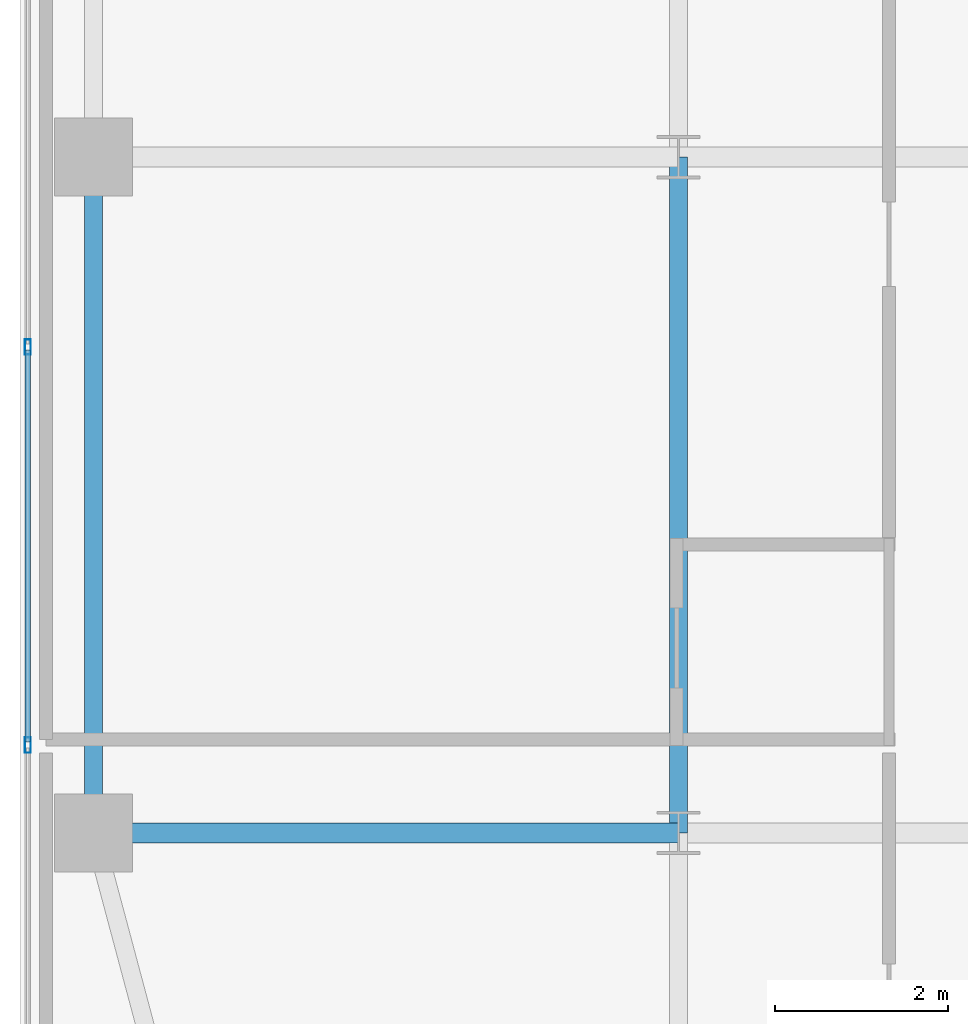
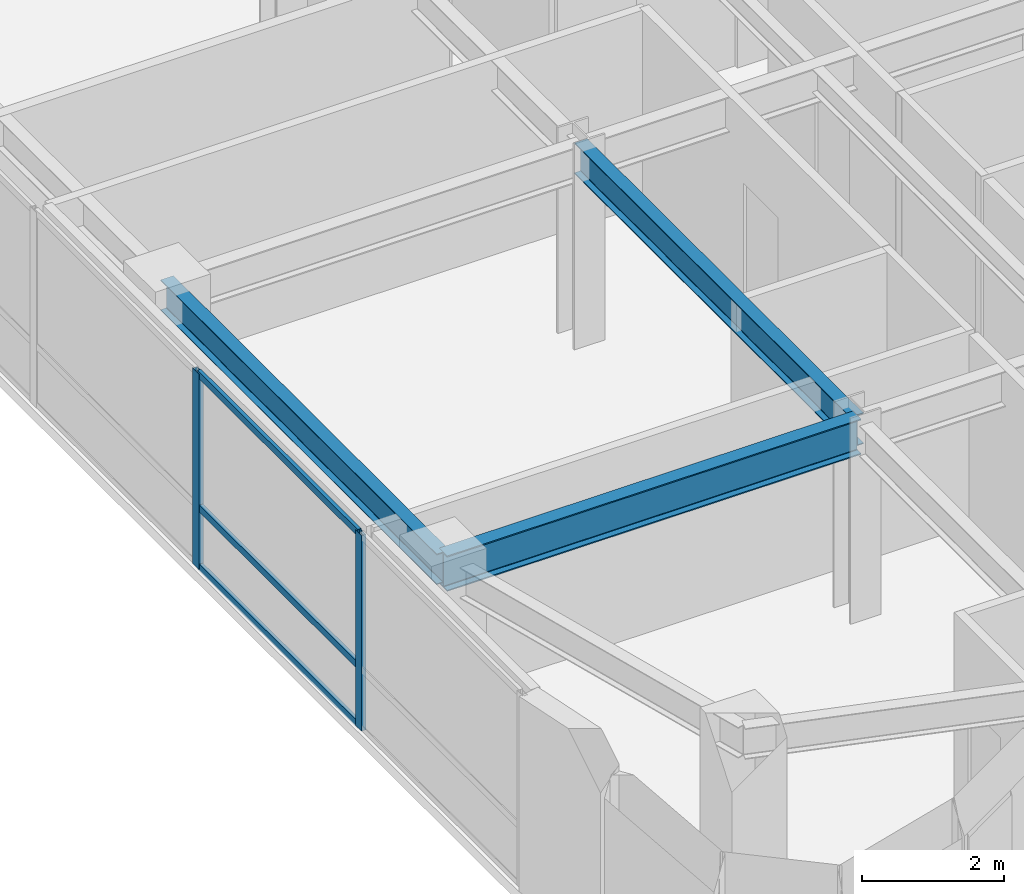
# One storey, part 4 of 37: 5 members, 3 beams, 1 element without a shape of its own.
"""IFC4 building model written with IfcOpenShell, lengths in metres."""

from ifc_helpers import new_model, si_unit, direction, frame, origin, origin_2d, place, context, subcontext, project, spatial, hollow_rectangle, i_section, extrude, source, transform, mapped, material, layer, layer_set, material_profile, profile_set, type_object, type_shapes, element, aggregate, save


model = new_model("IFC4")

# Units and contexts
model_context = context("Model", 3, precision=1e-05, world=origin(), true_north=direction((0.0, 1.0)))
body_context = subcontext(model_context, "Body", "Model", "MODEL_VIEW")
ifc_project = project(units=[si_unit("LENGTHUNIT", "METRE"), si_unit("AREAUNIT", "SQUARE_METRE"), si_unit("VOLUMEUNIT", "CUBIC_METRE"), si_unit("PLANEANGLEUNIT", "RADIAN"), si_unit("MASSUNIT", "GRAM", prefix="KILO")], contexts=[model_context])

# Site, building, storey
site_placement = place(None, origin())
site = spatial("IfcSite", under=ifc_project, at=site_placement, CompositionType="ELEMENT")
building_placement = place(site_placement, origin())
building = spatial("IfcBuilding", under=site, at=building_placement, Name="Tolvann Quenvar Hotel", CompositionType="ELEMENT")
storey_placement = place(building_placement, frame((0.0, 0.0, 104.449951171875)))
storey = spatial("IfcBuildingStorey", under=building, at=storey_placement, Name="L26", CompositionType="ELEMENT", Elevation=104.449951171875)

# Beams
ifc_material_1 = material(Name="Steel Grade 350", Category="steel")
ifc_material_profile_1 = material_profile(ifc_material_1, i_section(OverallWidth=0.22900390625, OverallDepth=0.612060546875, WebThickness=0.011962890625, FlangeThickness=0.01953125, FilletRadius=0.013916015625, at=origin_2d()), Name="610UB125")
ifc_profile_set_1 = profile_set([ifc_material_profile_1], Name="Steel Grade 350")
beam_type_1 = type_object("IfcBeamType", Name="BM_GIRD_610UB125", PredefinedType="BEAM", material=ifc_profile_set_1)
shared_shape_1 = source(origin(), body_context, "Body", "SweptSolid", [
    extrude(i_section(OverallWidth=0.22900390625, OverallDepth=0.612060546875, WebThickness=0.011962890625, FlangeThickness=0.01953125, FilletRadius=0.013916015625, at=origin_2d()), origin(), (0.0, 0.0, 1.0), 6.75),
])
type_shapes(beam_type_1, [shared_shape_1])
beam_1_placement = place(storey_placement, frame((0.85009765625, 8.199951171875, 3.06396484375), z_axis=(1.0, 0.0, 0.0), x_axis=(0.0, 1.0, 0.0)))
element("IfcBeam", 1, at=beam_1_placement, inside=storey, type_object=beam_type_1, Name="BM-L26-EW-3-B3-C3", PredefinedType="BEAM", context=body_context, shape_type="MappedRepresentation", body=[
    mapped(shared_shape_1, transform((0.0, 0.0, 0.0), x_axis=(1.0, 0.0, 0.0), y_axis=(0.0, 1.0, 0.0), z_axis=(0.0, 0.0, 1.0), scale=1.0)),
])
ifc_material_profile_2 = material_profile(ifc_material_1, i_section(OverallWidth=0.208984375, OverallDepth=0.528076171875, WebThickness=0.009521484375, FlangeThickness=0.01318359375, FilletRadius=0.013916015625, at=origin_2d()), Name="530UB82")
ifc_profile_set_2 = profile_set([ifc_material_profile_2], Name="Steel Grade 350")
beam_type_2 = type_object("IfcBeamType", Name="BM_SPAND_530UB82", PredefinedType="SPANDREL", material=ifc_profile_set_2)
shared_shape_2 = source(origin(), body_context, "Body", "SweptSolid", [
    extrude(i_section(OverallWidth=0.208984375, OverallDepth=0.528076171875, WebThickness=0.009521484375, FlangeThickness=0.01318359375, FilletRadius=0.013916015625, at=origin_2d()), origin(), (0.0, 0.0, 1.0), 7.800048828125),
])
type_shapes(beam_type_2, [shared_shape_2])
beam_2_placement = place(storey_placement, frame((0.85009765625, 8.199951171875, 3.10595703125), z_axis=(0.0, 1.0, 0.0), x_axis=(-1.0, 0.0, 0.0)))
element("IfcBeam", 2, at=beam_2_placement, inside=storey, type_object=beam_type_2, Name="BM-L26-NS-B3-B4", PredefinedType="SPANDREL", context=body_context, shape_type="MappedRepresentation", body=[
    mapped(shared_shape_2, transform((0.0, 0.0, 0.0), x_axis=(1.0, 0.0, 0.0), y_axis=(0.0, 1.0, 0.0), z_axis=(0.0, 0.0, 1.0), scale=1.0)),
])
ifc_material_profile_3 = material_profile(ifc_material_1, i_section(OverallWidth=0.208984375, OverallDepth=0.532958984375, WebThickness=0.01025390625, FlangeThickness=0.015625, FilletRadius=0.013916015625, at=origin_2d()), Name="530UB92")
ifc_profile_set_3 = profile_set([ifc_material_profile_3], Name="Steel Grade 350")
beam_type_3 = type_object("IfcBeamType", Name="BM_GIRD_530UB92", PredefinedType="BEAM", material=ifc_profile_set_3)
shared_shape_3 = source(origin(), body_context, "Body", "SweptSolid", [
    extrude(i_section(OverallWidth=0.208984375, OverallDepth=0.532958984375, WebThickness=0.01025390625, FlangeThickness=0.015625, FilletRadius=0.013916015625, at=origin_2d()), origin(), (0.0, 0.0, 1.0), 7.800048828125),
])
type_shapes(beam_type_3, [shared_shape_3])
beam_3_placement = place(storey_placement, frame((7.60009765625, 8.199951171875, 3.103515625), z_axis=(0.0, 1.0, 0.0), x_axis=(-1.0, 0.0, 0.0)))
element("IfcBeam", 3, at=beam_3_placement, inside=storey, type_object=beam_type_3, Name="BM-L26-NS-C3-C4", PredefinedType="BEAM", context=body_context, shape_type="MappedRepresentation", body=[
    mapped(shared_shape_3, transform((0.0, 0.0, 0.0), x_axis=(1.0, 0.0, 0.0), y_axis=(0.0, 1.0, 0.0), z_axis=(0.0, 0.0, 1.0), scale=1.0)),
])

# Curtain wall, members
ifc_material_2 = material(Name="Thermally broken anodised architectural aluminium 6063-T6 and laminated low-E glass", Category="aluminium")
ifc_layer = layer(ifc_material_2, 0.179931640625)
ifc_layer_set = layer_set([ifc_layer], Name="Thermally broken anodised architectural aluminium 6063-T6 and laminated low-E glass")
curtain_wall_type = type_object("IfcCurtainWallType", Name="CW_SYS_BAND_04", PredefinedType="USERDEFINED", material=ifc_layer_set)
curtain_wall_placement = place(storey_placement, origin())
curtain_wall = element("IfcCurtainWall", 4, at=curtain_wall_placement, inside=storey, type_object=curtain_wall_type, Name="Curtain Wall CW-BAND-04 (CWR-L26-E23)", ObjectType="UNITISED CURTAIN WALL", PredefinedType="USERDEFINED")
ifc_material_3 = material(Name="Anodised architectural aluminium 6063-T6 framing", Category="aluminium")
ifc_material_profile_4 = material_profile(ifc_material_3, hollow_rectangle(XDim=0.070068359375, YDim=0.179931640625, WallThickness=0.00390625, at=origin_2d()), Name="180x70x4RHS")
ifc_profile_set_4 = profile_set([ifc_material_profile_4], Name="Anodised architectural aluminium 6063-T6 framing")
member_type_1 = type_object("IfcMemberType", Name="CW_MULL_180x70", PredefinedType="MULLION", material=ifc_profile_set_4)
shared_shape_4 = source(origin(), body_context, "Body", "SweptSolid", [
    extrude(hollow_rectangle(XDim=0.070068359375, YDim=0.179931640625, WallThickness=0.00390625, at=origin_2d()), origin(), (0.0, 0.0, 1.0), 3.3701171875),
])
type_shapes(member_type_1, [shared_shape_4])
member_1_placement = place(storey_placement, frame((0.090087890625, 13.80859375, 0.0), z_axis=(0.0, 0.0, 1.0), x_axis=(1.0, 0.0, 0.0)))
member_1 = element("IfcMember", 5, at=member_1_placement, type_object=member_type_1, Name="CW-BAND-04 mullion 7", PredefinedType="MULLION", context=body_context, shape_type="MappedRepresentation", body=[
    mapped(shared_shape_4, transform((0.0, 0.0, 0.0), x_axis=(1.0, 0.0, 0.0), y_axis=(0.0, 1.0, 0.0), z_axis=(0.0, 0.0, 1.0), scale=1.0)),
])
member_2_placement = place(storey_placement, frame((0.090087890625, 9.212890625, 0.0), z_axis=(0.0, 0.0, 1.0), x_axis=(1.0, 0.0, 0.0)))
member_2 = element("IfcMember", 6, at=member_2_placement, type_object=member_type_1, Name="CW-BAND-04 mullion 8", PredefinedType="MULLION", context=body_context, shape_type="MappedRepresentation", body=[
    mapped(shared_shape_4, transform((0.0, 0.0, 0.0), x_axis=(1.0, 0.0, 0.0), y_axis=(0.0, 1.0, 0.0), z_axis=(0.0, 0.0, 1.0), scale=1.0)),
])
ifc_material_profile_5 = material_profile(ifc_material_3, hollow_rectangle(XDim=0.06005859375, YDim=0.1201171875, WallThickness=0.00341796875, at=origin_2d()), Name="120x60x3.5RHS")
ifc_profile_set_5 = profile_set([ifc_material_profile_5], Name="Anodised architectural aluminium 6063-T6 framing")
member_type_2 = type_object("IfcMemberType", Name="CW_TRAN_120x60", PredefinedType="USERDEFINED", material=ifc_profile_set_5)
shared_shape_5 = source(origin(), body_context, "Body", "SweptSolid", [
    extrude(hollow_rectangle(XDim=0.06005859375, YDim=0.1201171875, WallThickness=0.00341796875, at=origin_2d()), origin(), (0.0, 0.0, 1.0), 4.52587890625),
])
type_shapes(member_type_2, [shared_shape_5])
member_3_placement = place(storey_placement, frame((0.090087890625, 13.773681640625, 0.030029296875), z_axis=(0.0, -1.0, 0.0), x_axis=(1.0, 0.0, 0.0)))
member_3 = element("IfcMember", 7, at=member_3_placement, type_object=member_type_2, Name="CW-BAND-04 transom 7.1", ObjectType="TRANSOM", PredefinedType="USERDEFINED", context=body_context, shape_type="MappedRepresentation", body=[
    mapped(shared_shape_5, transform((0.0, 0.0, 0.0), x_axis=(1.0, 0.0, 0.0), y_axis=(0.0, 1.0, 0.0), z_axis=(0.0, 0.0, 1.0), scale=1.0)),
])
member_4_placement = place(storey_placement, frame((0.090087890625, 13.773681640625, 1.050048828125), z_axis=(0.0, -1.0, 0.0), x_axis=(1.0, 0.0, 0.0)))
member_4 = element("IfcMember", 8, at=member_4_placement, type_object=member_type_2, Name="CW-BAND-04 transom 7.2", ObjectType="TRANSOM", PredefinedType="USERDEFINED", context=body_context, shape_type="MappedRepresentation", body=[
    mapped(shared_shape_5, transform((0.0, 0.0, 0.0), x_axis=(1.0, 0.0, 0.0), y_axis=(0.0, 1.0, 0.0), z_axis=(0.0, 0.0, 1.0), scale=1.0)),
])
member_5_placement = place(storey_placement, frame((0.090087890625, 13.773681640625, 3.340087890625), z_axis=(0.0, -1.0, 0.0), x_axis=(1.0, 0.0, 0.0)))
member_5 = element("IfcMember", 9, at=member_5_placement, type_object=member_type_2, Name="CW-BAND-04 transom 7.3", ObjectType="TRANSOM", PredefinedType="USERDEFINED", context=body_context, shape_type="MappedRepresentation", body=[
    mapped(shared_shape_5, transform((0.0, 0.0, 0.0), x_axis=(1.0, 0.0, 0.0), y_axis=(0.0, 1.0, 0.0), z_axis=(0.0, 0.0, 1.0), scale=1.0)),
])
aggregate(curtain_wall, [member_1, member_2, member_3, member_4, member_5])

save(model, "model.ifc")
